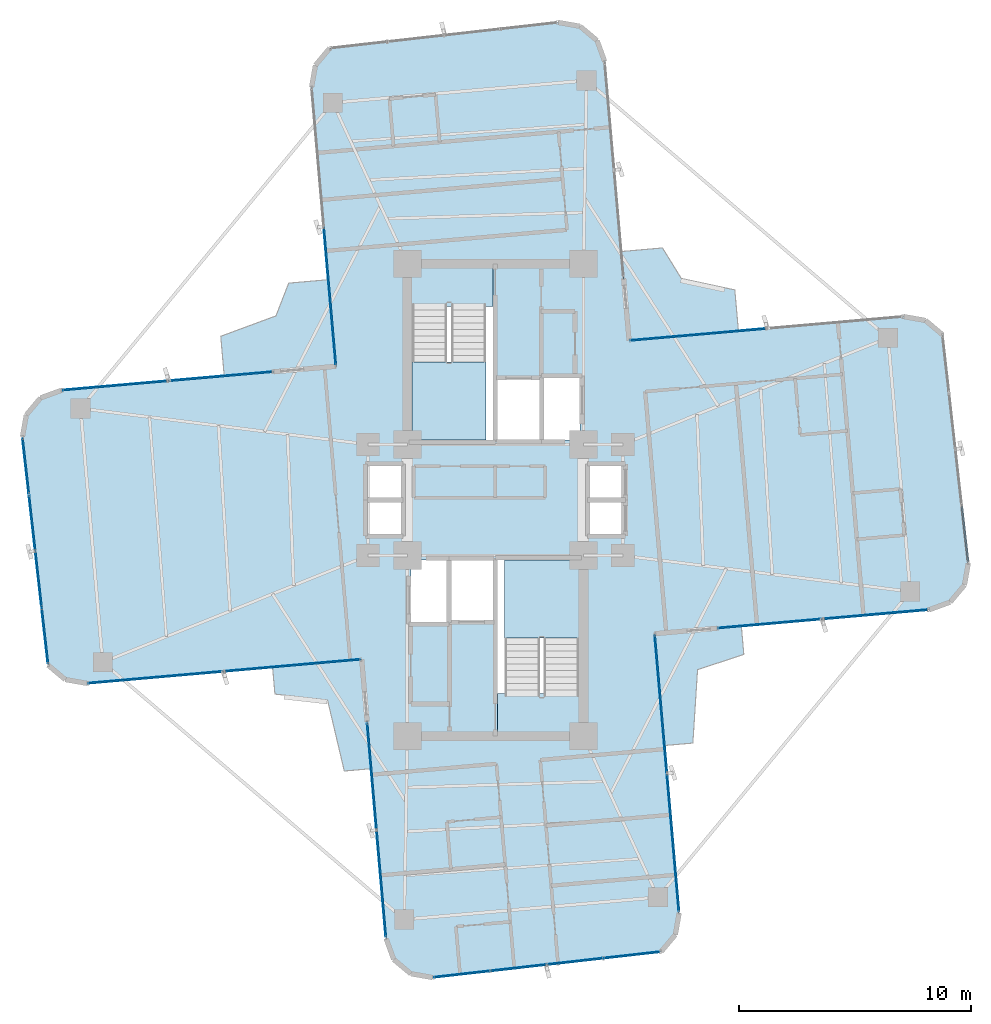
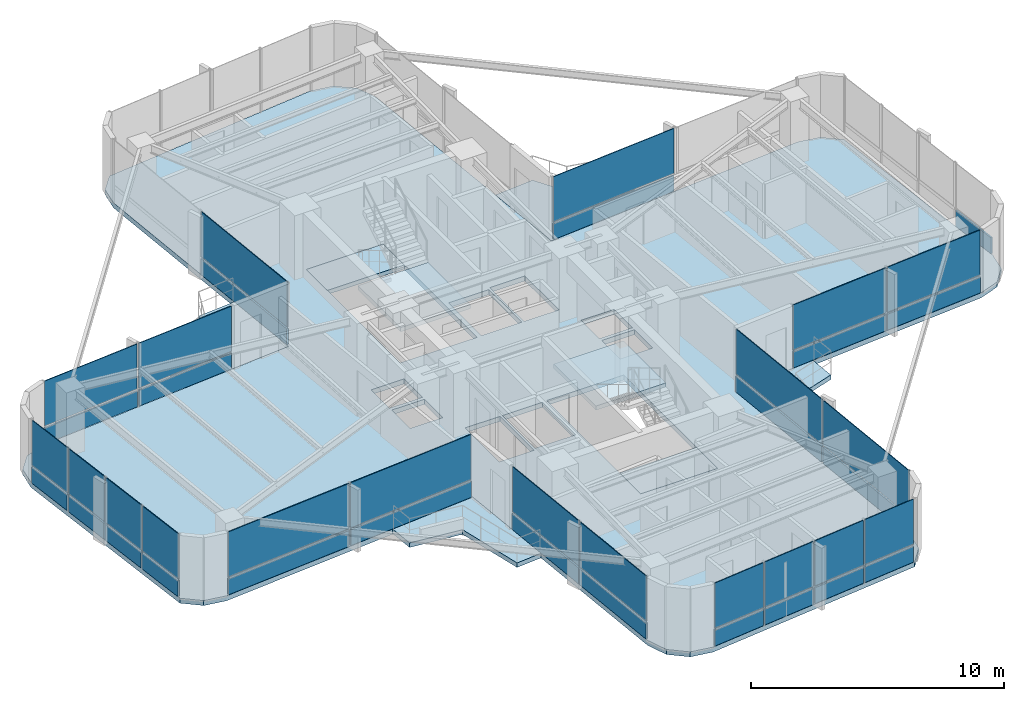
# One storey, part 19 of 24: 41 plates, 9 slabs, 12 elements without a shape of their own.
"""IFC4 building model written with IfcOpenShell, lengths in metres."""

from ifc_helpers import new_model, si_unit, direction, frame, origin, origin_2d, place, context, subcontext, project, spatial, polyline, rectangle, outline, extrude, source, transform, mapped, material, layer, layer_set, type_object, element, aggregate, save


model = new_model("IFC4")

# Units and contexts
model_context = context("Model", 3, precision=1e-05, world=origin(), true_north=direction((0.0, 1.0)))
body_context = subcontext(model_context, "Body", "Model", "MODEL_VIEW")
ifc_project = project(units=[si_unit("LENGTHUNIT", "METRE"), si_unit("AREAUNIT", "SQUARE_METRE"), si_unit("VOLUMEUNIT", "CUBIC_METRE"), si_unit("PLANEANGLEUNIT", "RADIAN"), si_unit("MASSUNIT", "GRAM", prefix="KILO")], contexts=[model_context])

# Site, building, storey
site_placement = place(None, origin())
site = spatial("IfcSite", under=ifc_project, at=site_placement, CompositionType="ELEMENT")
building_placement = place(site_placement, origin())
building = spatial("IfcBuilding", under=site, at=building_placement, Name="Sahyath Konkavel Grand Hotel", CompositionType="ELEMENT")
storey_placement = place(building_placement, frame((0.0, 0.0, 175.199951171875)))
storey = spatial("IfcBuildingStorey", under=building, at=storey_placement, Name="L48", CompositionType="ELEMENT", Elevation=175.199951171875)

# Slabs
ifc_material_1 = material(Name="Concrete C40/50", Category="concrete")
ifc_layer_1 = layer(ifc_material_1, 0.239990234375)
ifc_layer_set_1 = layer_set([ifc_layer_1], Name="Concrete C40/50")
slab_type_1 = type_object("IfcSlabType", Name="SLB-240", PredefinedType="FLOOR", material=ifc_layer_set_1)
slab_1_placement = place(storey_placement, frame((0.0, 0.0, -0.239990234375)))
element("IfcSlab", 1, at=slab_1_placement, inside=storey, type_object=slab_type_1, Name="L48 Structural Floor Slab", PredefinedType="FLOOR", context=body_context, shape_type="SweptSolid", body=[
    extrude(outline(polyline([(6.87939453125, -5.7724609375), (18.73388671875, -4.735107421875), (19.6337890625, -4.40771484375), (20.24951171875, -3.674072265625), (20.415771484375, -2.73095703125), (19.3037109375, 7.134521484375), (18.5703125, 7.75), (17.627197265625, 7.91650390625), (5.7724609375, 6.87939453125), (4.7177734375, 18.93310546875), (4.390380859375, 19.8330078125), (3.65673828125, 20.44873046875), (2.713623046875, 20.614990234375), (-7.152099609375, 19.5029296875), (-7.767578125, 18.769287109375), (-7.933837890625, 17.826416015625), (-6.87939453125, 5.7724609375), (-18.73388671875, 4.735107421875), (-19.6337890625, 4.40771484375), (-20.24951171875, 3.674072265625), (-20.415771484375, 2.73095703125), (-19.3037109375, -7.134521484375), (-18.5703125, -7.75), (-17.627197265625, -7.91650390625), (-5.7724609375, -6.87939453125), (-4.7177734375, -18.93310546875), (-4.390380859375, -19.8330078125), (-3.65673828125, -20.44873046875), (-2.713623046875, -20.614990234375), (7.152099609375, -19.5029296875), (7.767578125, -18.769287109375), (7.933837890625, -17.826416015625), (6.87939453125, -5.7724609375)]), holes=[polyline([(-3.6201171875, 2.580078125), (-0.10009765625, 2.580078125), (-0.10009765625, 10.02001953125), (-3.6201171875, 10.02001953125), (-3.6201171875, 2.580078125)]), polyline([(0.10009765625, -10.02001953125), (3.6201171875, -10.02001953125), (3.6201171875, -2.580078125), (0.10009765625, -2.580078125), (0.10009765625, -10.02001953125)]), polyline([(0.10009765625, 2.60009765625), (1.949951171875, 2.60009765625), (1.949951171875, 5.199951171875), (0.10009765625, 5.199951171875), (0.10009765625, 2.60009765625)]), polyline([(-1.949951171875, -5.199951171875), (-0.10009765625, -5.199951171875), (-0.10009765625, -2.60009765625), (-1.949951171875, -2.60009765625), (-1.949951171875, -5.199951171875)]), polyline([(2.050048828125, 2.60009765625), (3.64990234375, 2.60009765625), (3.64990234375, 5.300048828125), (2.050048828125, 5.300048828125), (2.050048828125, 2.60009765625)]), polyline([(-3.64990234375, -5.300048828125), (-2.050048828125, -5.300048828125), (-2.050048828125, -2.60009765625), (-3.64990234375, -2.60009765625), (-3.64990234375, -5.300048828125)]), polyline([(4.050048828125, 0.080078125), (5.550048828125, 0.080078125), (5.550048828125, 1.5400390625), (4.050048828125, 1.5400390625), (4.050048828125, 0.080078125)]), polyline([(4.050048828125, -1.5400390625), (5.550048828125, -1.5400390625), (5.550048828125, -0.080078125), (4.050048828125, -0.080078125), (4.050048828125, -1.5400390625)]), polyline([(-5.550048828125, 0.080078125), (-4.050048828125, 0.080078125), (-4.050048828125, 1.5400390625), (-5.550048828125, 1.5400390625), (-5.550048828125, 0.080078125)]), polyline([(-5.550048828125, -1.5400390625), (-4.050048828125, -1.5400390625), (-4.050048828125, -0.080078125), (-5.550048828125, -0.080078125), (-5.550048828125, -1.5400390625)])]), origin(), (0.0, 0.0, 1.0), 0.239990234375),
])
ifc_layer_2 = layer(ifc_material_1, 0.219970703125)
ifc_layer_set_2 = layer_set([ifc_layer_2], Name="Concrete C40/50")
slab_type_2 = type_object("IfcSlabType", Name="SLB-BALCONY-220", PredefinedType="FLOOR", material=ifc_layer_set_2)
slab_2_placement = place(storey_placement, frame((0.0, 0.0, -0.219970703125)))
element("IfcSlab", 2, at=slab_2_placement, inside=storey, type_object=slab_type_2, Name="L48 Winter-Garden Balcony NE", PredefinedType="FLOOR", context=body_context, shape_type="SweptSolid", body=[
    extrude(outline(polyline([(5.7724609375, 6.87939453125), (10.492431640625, 7.292236328125), (10.3369140625, 9.0703125), (8.02587890625, 9.56494140625), (7.2138671875, 10.882080078125), (5.435791015625, 10.7265625), (5.7724609375, 6.87939453125)])), origin(), (0.0, 0.0, 1.0), 0.219970703125),
])
slab_3_placement = place(storey_placement, frame((0.0, 0.0, -0.219970703125)))
element("IfcSlab", 3, at=slab_3_placement, inside=storey, type_object=slab_type_2, Name="L48 Winter-Garden Balcony NW", PredefinedType="FLOOR", context=body_context, shape_type="SweptSolid", body=[
    extrude(outline(polyline([(-6.87939453125, 5.7724609375), (-7.20654296875, 9.51220703125), (-8.923583984375, 9.36181640625), (-9.472900390625, 7.948486328125), (-11.857177734375, 7.067138671875), (-11.706787109375, 5.35009765625), (-6.87939453125, 5.7724609375)])), origin(), (0.0, 0.0, 1.0), 0.219970703125),
])
slab_4_placement = place(storey_placement, frame((0.0, 0.0, -0.219970703125)))
element("IfcSlab", 4, at=slab_4_placement, inside=storey, type_object=slab_type_2, Name="L48 Winter-Garden Balcony SW", PredefinedType="FLOOR", context=body_context, shape_type="SweptSolid", body=[
    extrude(outline(polyline([(-5.7724609375, -6.87939453125), (-9.61962890625, -7.2158203125), (-9.51806640625, -8.37841796875), (-7.245849609375, -8.635498046875), (-6.522216796875, -11.700927734375), (-5.359619140625, -11.59912109375), (-5.7724609375, -6.87939453125)])), origin(), (0.0, 0.0, 1.0), 0.219970703125),
])
slab_5_placement = place(storey_placement, frame((0.0, 0.0, -0.219970703125)))
element("IfcSlab", 5, at=slab_5_placement, inside=storey, type_object=slab_type_2, Name="L48 Winter-Garden Balcony SE", PredefinedType="FLOOR", context=body_context, shape_type="SweptSolid", body=[
    extrude(outline(polyline([(6.87939453125, -5.7724609375), (7.301513671875, -10.60009765625), (8.525390625, -10.492919921875), (8.7275390625, -7.3232421875), (10.72607421875, -6.6689453125), (10.618896484375, -5.4453125), (6.87939453125, -5.7724609375)])), origin(), (0.0, 0.0, 1.0), 0.219970703125),
])

# Stair, slab
stair_type = type_object("IfcStairType", Name="STR-ST16-335", PredefinedType="HALF_TURN_STAIR", material=ifc_material_1)
stair_1_placement = place(storey_placement, origin())
stair_1 = element("IfcStair", 6, at=stair_1_placement, inside=storey, type_object=stair_type, Name="L48 North Core Smokeproof Exit Stair ST-1", PredefinedType="HALF_TURN_STAIR")
ifc_layer_3 = layer(ifc_material_1, 0.199951171875)
ifc_layer_set_3 = layer_set([ifc_layer_3], Name="Concrete C40/50")
slab_type_3 = type_object("IfcSlabType", Name="SLB-STAIR-LND", PredefinedType="LANDING", material=ifc_layer_set_3)
slab_6_placement = place(storey_placement, frame((0.0, 0.0, 1.47509765625)))
slab_6 = element("IfcSlab", 7, at=slab_6_placement, type_object=slab_type_3, Name="ST-1 landing 1", PredefinedType="LANDING", context=body_context, shape_type="SweptSolid", body=[
    extrude(outline(polyline([(-3.60009765625, 5.9599609375), (-3.60009765625, 2.60009765625), (-0.39990234375, 2.60009765625), (-0.39990234375, 5.9599609375), (-3.60009765625, 5.9599609375)])), origin(), (0.0, 0.0, 1.0), 0.199951171875),
])
aggregate(stair_1, [slab_6])

stair_2_placement = place(storey_placement, origin())
stair_2 = element("IfcStair", 8, at=stair_2_placement, inside=storey, type_object=stair_type, Name="L48 South Core Smokeproof Exit Stair ST-2", PredefinedType="HALF_TURN_STAIR")
slab_7_placement = place(storey_placement, frame((0.0, 0.0, 1.47509765625)))
slab_7 = element("IfcSlab", 9, at=slab_7_placement, type_object=slab_type_3, Name="ST-2 landing 1", PredefinedType="LANDING", context=body_context, shape_type="SweptSolid", body=[
    extrude(outline(polyline([(3.60009765625, -5.9599609375), (3.60009765625, -2.60009765625), (0.39990234375, -2.60009765625), (0.39990234375, -5.9599609375), (3.60009765625, -5.9599609375)])), origin(), (0.0, 0.0, 1.0), 0.199951171875),
])
aggregate(stair_2, [slab_7])

# Slabs
slab_8_placement = place(storey_placement, frame((0.0, 0.0, -0.199951171875)))
element("IfcSlab", 10, at=slab_8_placement, inside=storey, type_object=slab_type_3, Name="L48 Stair ST-1 Floor Landing Slab", PredefinedType="LANDING", context=body_context, shape_type="SweptSolid", body=[
    extrude(outline(polyline([(-3.6201171875, 8.35009765625), (-0.10009765625, 8.35009765625), (-0.10009765625, 10.02001953125), (-3.6201171875, 10.02001953125), (-3.6201171875, 8.35009765625)])), origin(), (0.0, 0.0, 1.0), 0.199951171875),
])
slab_9_placement = place(storey_placement, frame((0.0, 0.0, -0.199951171875)))
element("IfcSlab", 11, at=slab_9_placement, inside=storey, type_object=slab_type_3, Name="L48 Stair ST-2 Floor Landing Slab", PredefinedType="LANDING", context=body_context, shape_type="SweptSolid", body=[
    extrude(outline(polyline([(0.10009765625, -10.02001953125), (3.6201171875, -10.02001953125), (3.6201171875, -8.35009765625), (0.10009765625, -8.35009765625), (0.10009765625, -10.02001953125)])), origin(), (0.0, 0.0, 1.0), 0.199951171875),
])

# Curtain wall, plates
ifc_material_2 = material(Name="Anodised Bronze Aluminium & Low-E Glazing", Category="aluminium")
curtain_wall_type = type_object("IfcCurtainWallType", Name="CW-ZONE3", PredefinedType="NOTDEFINED", material=ifc_material_2)
curtain_wall_1_placement = place(storey_placement, origin())
curtain_wall_1 = element("IfcCurtainWall", 12, at=curtain_wall_1_placement, inside=storey, type_object=curtain_wall_type, Name="L48 Unitised Curtain Wall F0", PredefinedType="NOTDEFINED")
ifc_material_3 = material(Name="Warm Buff Sandstone Cladding", Category="masonry")
ifc_layer_4 = layer(ifc_material_3, 0.074951171875)
ifc_layer_set_4 = layer_set([ifc_layer_4], Name="Warm Buff Sandstone Cladding")
plate_type_1 = type_object("IfcPlateType", Name="PNL-SPANDREL-STONE", PredefinedType="SHEET", material=ifc_layer_set_4)
shared_shape_1 = source(origin(), body_context, "Body", "SweptSolid", [
    extrude(rectangle(XDim=4.47998046875, YDim=0.074951171875, at=origin_2d()), origin(), (0.0, 0.0, 1.0), 0.77001953125),
])
plate_1_placement = place(storey_placement, frame((11.880126953125, -5.334716796875, 0.0400390625), z_axis=(0.0, 0.0, 1.0), x_axis=(0.996194698092, 0.087155742748, 0.0)))
plate_1 = element("IfcPlate", 13, at=plate_1_placement, type_object=plate_type_1, Name="L48 Sandstone Relief Spandrel Panel F0-0", PredefinedType="SHEET", context=body_context, shape_type="MappedRepresentation", body=[
    mapped(shared_shape_1, transform((0.0, 0.0, 0.0), scale=1.0)),
])
plate_2_placement = place(storey_placement, frame((16.4228515625, -4.9375, 0.0400390625), z_axis=(0.0, 0.0, 1.0), x_axis=(0.996194698092, 0.087155742748, 0.0)))
plate_2 = element("IfcPlate", 14, at=plate_2_placement, type_object=plate_type_1, Name="L48 Sandstone Relief Spandrel Panel F0-1", PredefinedType="SHEET", context=body_context, shape_type="MappedRepresentation", body=[
    mapped(shared_shape_1, transform((0.0, 0.0, 0.0), scale=1.0)),
])

curtain_wall_2_placement = place(storey_placement, origin())
curtain_wall_2 = element("IfcCurtainWall", 15, at=curtain_wall_2_placement, inside=storey, type_object=curtain_wall_type, Name="L48 Unitised Curtain Wall F16", PredefinedType="NOTDEFINED")
plate_3_placement = place(storey_placement, frame((-11.880126953125, 5.334716796875, 0.0400390625), z_axis=(0.0, 0.0, 1.0), x_axis=(-0.996194698092, -0.087155742748, 0.0)))
plate_3 = element("IfcPlate", 16, at=plate_3_placement, type_object=plate_type_1, Name="L48 Sandstone Relief Spandrel Panel F16-0", PredefinedType="SHEET", context=body_context, shape_type="MappedRepresentation", body=[
    mapped(shared_shape_1, transform((0.0, 0.0, 0.0), scale=1.0)),
])
plate_4_placement = place(storey_placement, frame((-16.4228515625, 4.9375, 0.0400390625), z_axis=(0.0, 0.0, 1.0), x_axis=(-0.996194698092, -0.087155742748, 0.0)))
plate_4 = element("IfcPlate", 17, at=plate_4_placement, type_object=plate_type_1, Name="L48 Sandstone Relief Spandrel Panel F16-1", PredefinedType="SHEET", context=body_context, shape_type="MappedRepresentation", body=[
    mapped(shared_shape_1, transform((0.0, 0.0, 0.0), scale=1.0)),
])

# Curtain wall, plate
curtain_wall_3_placement = place(storey_placement, origin())
curtain_wall_3 = element("IfcCurtainWall", 18, at=curtain_wall_3_placement, inside=storey, type_object=curtain_wall_type, Name="L48 Unitised Curtain Wall F4", PredefinedType="NOTDEFINED")
shared_shape_2 = source(origin(), body_context, "Body", "SweptSolid", [
    extrude(rectangle(XDim=2.382080078125, YDim=0.074951171875, at=origin_2d()), origin(), (0.0, 0.0, 1.0), 0.77001953125),
])
plate_5_placement = place(storey_placement, frame((20.2734375, -1.468017578125, 0.0400390625), z_axis=(0.0, 0.0, 1.0), x_axis=(-0.111989252568, 0.993709417943, 0.0)))
plate_5 = element("IfcPlate", 19, at=plate_5_placement, type_object=plate_type_1, Name="L48 Sandstone Relief Spandrel Panel F4-0", PredefinedType="SHEET", context=body_context, shape_type="MappedRepresentation", body=[
    mapped(shared_shape_2, transform((0.0, 0.0, 0.0), scale=1.0)),
])
aggregate(curtain_wall_3, [plate_5])

# Curtain wall, plates
curtain_wall_4_placement = place(storey_placement, origin())
curtain_wall_4 = element("IfcCurtainWall", 20, at=curtain_wall_4_placement, inside=storey, type_object=curtain_wall_type, Name="L48 Unitised Curtain Wall F20", PredefinedType="NOTDEFINED")
plate_6_placement = place(storey_placement, frame((-20.2734375, 1.468017578125, 0.0400390625), z_axis=(0.0, 0.0, 1.0), x_axis=(0.111989252568, -0.993709417943, 0.0)))
plate_6 = element("IfcPlate", 21, at=plate_6_placement, type_object=plate_type_1, Name="L48 Sandstone Relief Spandrel Panel F20-0", PredefinedType="SHEET", context=body_context, shape_type="MappedRepresentation", body=[
    mapped(shared_shape_2, transform((0.0, 0.0, 0.0), scale=1.0)),
])
plate_7_placement = place(storey_placement, frame((-19.99755859375, -0.978515625, 0.0400390625), z_axis=(0.0, 0.0, 1.0), x_axis=(0.111989252568, -0.993709417943, 0.0)))
plate_7 = element("IfcPlate", 22, at=plate_7_placement, type_object=plate_type_1, Name="L48 Sandstone Relief Spandrel Panel F20-1", PredefinedType="SHEET", context=body_context, shape_type="MappedRepresentation", body=[
    mapped(shared_shape_2, transform((0.0, 0.0, 0.0), scale=1.0)),
])
plate_8_placement = place(storey_placement, frame((-19.7216796875, -3.425048828125, 0.0400390625), z_axis=(0.0, 0.0, 1.0), x_axis=(0.111989252568, -0.993709417943, 0.0)))
plate_8 = element("IfcPlate", 23, at=plate_8_placement, type_object=plate_type_1, Name="L48 Sandstone Relief Spandrel Panel F20-2", PredefinedType="SHEET", context=body_context, shape_type="MappedRepresentation", body=[
    mapped(shared_shape_2, transform((0.0, 0.0, 0.0), scale=1.0)),
])
plate_9_placement = place(storey_placement, frame((-19.446044921875, -5.87158203125, 0.0400390625), z_axis=(0.0, 0.0, 1.0), x_axis=(0.111989252568, -0.993709417943, 0.0)))
plate_9 = element("IfcPlate", 24, at=plate_9_placement, type_object=plate_type_1, Name="L48 Sandstone Relief Spandrel Panel F20-3", PredefinedType="SHEET", context=body_context, shape_type="MappedRepresentation", body=[
    mapped(shared_shape_2, transform((0.0, 0.0, 0.0), scale=1.0)),
])

curtain_wall_5_placement = place(storey_placement, origin())
curtain_wall_5 = element("IfcCurtainWall", 25, at=curtain_wall_5_placement, inside=storey, type_object=curtain_wall_type, Name="L48 Unitised Curtain Wall F28", PredefinedType="NOTDEFINED")
plate_10_placement = place(storey_placement, frame((-1.45068359375, -20.47265625, 0.0400390625), z_axis=(0.0, 0.0, 1.0), x_axis=(0.993707463211, 0.112006596052, 0.0)))
plate_10 = element("IfcPlate", 26, at=plate_10_placement, type_object=plate_type_1, Name="L48 Sandstone Relief Spandrel Panel F28-0", PredefinedType="SHEET", context=body_context, shape_type="MappedRepresentation", body=[
    mapped(shared_shape_2, transform((0.0, 0.0, 0.0), scale=1.0)),
])
plate_11_placement = place(storey_placement, frame((0.995849609375, -20.197021484375, 0.0400390625), z_axis=(0.0, 0.0, 1.0), x_axis=(0.993707463211, 0.112006596052, 0.0)))
plate_11 = element("IfcPlate", 27, at=plate_11_placement, type_object=plate_type_1, Name="L48 Sandstone Relief Spandrel Panel F28-1", PredefinedType="SHEET", context=body_context, shape_type="MappedRepresentation", body=[
    mapped(shared_shape_2, transform((0.0, 0.0, 0.0), scale=1.0)),
])
plate_12_placement = place(storey_placement, frame((3.4423828125, -19.921142578125, 0.0400390625), z_axis=(0.0, 0.0, 1.0), x_axis=(0.993707463211, 0.112006596052, 0.0)))
plate_12 = element("IfcPlate", 28, at=plate_12_placement, type_object=plate_type_1, Name="L48 Sandstone Relief Spandrel Panel F28-2", PredefinedType="SHEET", context=body_context, shape_type="MappedRepresentation", body=[
    mapped(shared_shape_2, transform((0.0, 0.0, 0.0), scale=1.0)),
])
plate_13_placement = place(storey_placement, frame((5.888916015625, -19.6455078125, 0.0400390625), z_axis=(0.0, 0.0, 1.0), x_axis=(0.993707463211, 0.112006596052, 0.0)))
plate_13 = element("IfcPlate", 29, at=plate_13_placement, type_object=plate_type_1, Name="L48 Sandstone Relief Spandrel Panel F28-3", PredefinedType="SHEET", context=body_context, shape_type="MappedRepresentation", body=[
    mapped(shared_shape_2, transform((0.0, 0.0, 0.0), scale=1.0)),
])

# Curtain wall, plate
curtain_wall_6_placement = place(storey_placement, origin())
curtain_wall_6 = element("IfcCurtainWall", 30, at=curtain_wall_6_placement, inside=storey, type_object=curtain_wall_type, Name="L48 Unitised Curtain Wall F7", PredefinedType="NOTDEFINED")
shared_shape_3 = source(origin(), body_context, "Body", "SweptSolid", [
    extrude(rectangle(XDim=5.830078125, YDim=0.074951171875, at=origin_2d()), origin(), (0.0, 0.0, 1.0), 0.77001953125),
])
plate_14_placement = place(storey_placement, frame((8.756103515625, 7.140380859375, 0.0400390625), z_axis=(0.0, 0.0, 1.0), x_axis=(-0.996194698092, -0.087155742748, 0.0)))
plate_14 = element("IfcPlate", 31, at=plate_14_placement, type_object=plate_type_1, Name="L48 Sandstone Relief Spandrel Panel F7-1", PredefinedType="SHEET", context=body_context, shape_type="MappedRepresentation", body=[
    mapped(shared_shape_3, transform((0.0, 0.0, 0.0), scale=1.0)),
])

# Curtain wall, plates
curtain_wall_7_placement = place(storey_placement, origin())
curtain_wall_7 = element("IfcCurtainWall", 32, at=curtain_wall_7_placement, inside=storey, type_object=curtain_wall_type, Name="L48 Unitised Curtain Wall F23", PredefinedType="NOTDEFINED")
plate_15_placement = place(storey_placement, frame((-14.6435546875, -7.655517578125, 0.0400390625), z_axis=(0.0, 0.0, 1.0), x_axis=(0.996194698092, 0.087155742748, 0.0)))
plate_15 = element("IfcPlate", 33, at=plate_15_placement, type_object=plate_type_1, Name="L48 Sandstone Relief Spandrel Panel F23-0", PredefinedType="SHEET", context=body_context, shape_type="MappedRepresentation", body=[
    mapped(shared_shape_3, transform((0.0, 0.0, 0.0), scale=1.0)),
])
plate_16_placement = place(storey_placement, frame((-8.756103515625, -7.140380859375, 0.0400390625), z_axis=(0.0, 0.0, 1.0), x_axis=(0.996194698092, 0.087155742748, 0.0)))
plate_16 = element("IfcPlate", 34, at=plate_16_placement, type_object=plate_type_1, Name="L48 Sandstone Relief Spandrel Panel F23-1", PredefinedType="SHEET", context=body_context, shape_type="MappedRepresentation", body=[
    mapped(shared_shape_3, transform((0.0, 0.0, 0.0), scale=1.0)),
])

curtain_wall_8_placement = place(storey_placement, origin())
curtain_wall_8 = element("IfcCurtainWall", 35, at=curtain_wall_8_placement, inside=storey, type_object=curtain_wall_type, Name="L48 Unitised Curtain Wall F24", PredefinedType="NOTDEFINED")
shared_shape_4 = source(origin(), body_context, "Body", "SweptSolid", [
    extrude(rectangle(XDim=4.580078125, YDim=0.074951171875, at=origin_2d()), origin(), (0.0, 0.0, 1.0), 0.77001953125),
])
plate_17_placement = place(storey_placement, frame((-5.33056640625, -11.929931640625, 0.0400390625), z_axis=(0.0, 0.0, 1.0), x_axis=(0.087155742748, -0.996194698092, 0.0)))
plate_17 = element("IfcPlate", 36, at=plate_17_placement, type_object=plate_type_1, Name="L48 Sandstone Relief Spandrel Panel F24-0", PredefinedType="SHEET", context=body_context, shape_type="MappedRepresentation", body=[
    mapped(shared_shape_4, transform((0.0, 0.0, 0.0), scale=1.0)),
])
plate_18_placement = place(storey_placement, frame((-4.92431640625, -16.572265625, 0.0400390625), z_axis=(0.0, 0.0, 1.0), x_axis=(0.087155742748, -0.996194698092, 0.0)))
plate_18 = element("IfcPlate", 37, at=plate_18_placement, type_object=plate_type_1, Name="L48 Sandstone Relief Spandrel Panel F24-1", PredefinedType="SHEET", context=body_context, shape_type="MappedRepresentation", body=[
    mapped(shared_shape_4, transform((0.0, 0.0, 0.0), scale=1.0)),
])

# Curtain wall, plate
curtain_wall_9_placement = place(storey_placement, origin())
curtain_wall_9 = element("IfcCurtainWall", 38, at=curtain_wall_9_placement, inside=storey, type_object=curtain_wall_type, Name="L48 Unitised Curtain Wall F15", PredefinedType="NOTDEFINED")
shared_shape_5 = source(origin(), body_context, "Body", "SweptSolid", [
    extrude(rectangle(XDim=5.929931640625, YDim=0.074951171875, at=origin_2d()), origin(), (0.0, 0.0, 1.0), 0.77001953125),
])
plate_19_placement = place(storey_placement, frame((-7.144775390625, 8.805908203125, 0.0400390625), z_axis=(0.0, 0.0, 1.0), x_axis=(0.087155742748, -0.996194698092, 0.0)))
plate_19 = element("IfcPlate", 39, at=plate_19_placement, type_object=plate_type_1, Name="L48 Sandstone Relief Spandrel Panel F15-1", PredefinedType="SHEET", context=body_context, shape_type="MappedRepresentation", body=[
    mapped(shared_shape_5, transform((0.0, 0.0, 0.0), scale=1.0)),
])

# Curtain wall, plates
curtain_wall_10_placement = place(storey_placement, origin())
curtain_wall_10 = element("IfcCurtainWall", 40, at=curtain_wall_10_placement, inside=storey, type_object=curtain_wall_type, Name="L48 Unitised Curtain Wall F31", PredefinedType="NOTDEFINED")
plate_20_placement = place(storey_placement, frame((7.66845703125, -14.79296875, 0.0400390625), z_axis=(0.0, 0.0, 1.0), x_axis=(-0.087155742748, 0.996194698092, 0.0)))
plate_20 = element("IfcPlate", 41, at=plate_20_placement, type_object=plate_type_1, Name="L48 Sandstone Relief Spandrel Panel F31-0", PredefinedType="SHEET", context=body_context, shape_type="MappedRepresentation", body=[
    mapped(shared_shape_5, transform((0.0, 0.0, 0.0), scale=1.0)),
])
plate_21_placement = place(storey_placement, frame((7.144775390625, -8.805908203125, 0.0400390625), z_axis=(0.0, 0.0, 1.0), x_axis=(-0.087155742748, 0.996194698092, 0.0)))
plate_21 = element("IfcPlate", 42, at=plate_21_placement, type_object=plate_type_1, Name="L48 Sandstone Relief Spandrel Panel F31-1", PredefinedType="SHEET", context=body_context, shape_type="MappedRepresentation", body=[
    mapped(shared_shape_5, transform((0.0, 0.0, 0.0), scale=1.0)),
])

# Plate
ifc_material_4 = material(Name="Low-E Solar Control Double Glazing", Category="glass")
ifc_layer_5 = layer(ifc_material_4, 0.035888671875)
ifc_layer_set_5 = layer_set([ifc_layer_5], Name="Low-E Solar Control Double Glazing")
plate_type_2 = type_object("IfcPlateType", Name="PNL-VISION-LOWE", PredefinedType="CURTAIN_PANEL", material=ifc_layer_set_5)
shared_shape_6 = source(origin(), body_context, "Body", "SweptSolid", [
    extrude(rectangle(XDim=4.47998046875, YDim=0.035888671875, at=origin_2d()), origin(), (0.0, 0.0, 1.0), 2.179931640625),
])
plate_22_placement = place(storey_placement, frame((11.880126953125, -5.334716796875, 0.89013671875), z_axis=(0.0, 0.0, 1.0), x_axis=(0.996194698092, 0.087155742748, 0.0)))
plate_22 = element("IfcPlate", 43, at=plate_22_placement, type_object=plate_type_2, Name="L48 Low-E Vision Glazing Panel F0-0", PredefinedType="CURTAIN_PANEL", context=body_context, shape_type="MappedRepresentation", body=[
    mapped(shared_shape_6, transform((0.0, 0.0, 0.0), scale=1.0)),
])

plate_23_placement = place(storey_placement, frame((16.4228515625, -4.9375, 0.89013671875), z_axis=(0.0, 0.0, 1.0), x_axis=(0.996194698092, 0.087155742748, 0.0)))
plate_23 = element("IfcPlate", 44, at=plate_23_placement, type_object=plate_type_2, Name="L48 Low-E Vision Glazing Panel F0-1", PredefinedType="CURTAIN_PANEL", context=body_context, shape_type="MappedRepresentation", body=[
    mapped(shared_shape_6, transform((0.0, 0.0, 0.0), scale=1.0)),
])

aggregate(curtain_wall_1, [plate_1, plate_22, plate_2, plate_23])

plate_24_placement = place(storey_placement, frame((-11.880126953125, 5.334716796875, 0.89013671875), z_axis=(0.0, 0.0, 1.0), x_axis=(-0.996194698092, -0.087155742748, 0.0)))
plate_24 = element("IfcPlate", 45, at=plate_24_placement, type_object=plate_type_2, Name="L48 Low-E Vision Glazing Panel F16-0", PredefinedType="CURTAIN_PANEL", context=body_context, shape_type="MappedRepresentation", body=[
    mapped(shared_shape_6, transform((0.0, 0.0, 0.0), scale=1.0)),
])

plate_25_placement = place(storey_placement, frame((-16.4228515625, 4.9375, 0.89013671875), z_axis=(0.0, 0.0, 1.0), x_axis=(-0.996194698092, -0.087155742748, 0.0)))
plate_25 = element("IfcPlate", 46, at=plate_25_placement, type_object=plate_type_2, Name="L48 Low-E Vision Glazing Panel F16-1", PredefinedType="CURTAIN_PANEL", context=body_context, shape_type="MappedRepresentation", body=[
    mapped(shared_shape_6, transform((0.0, 0.0, 0.0), scale=1.0)),
])

aggregate(curtain_wall_2, [plate_3, plate_24, plate_4, plate_25])

shared_shape_7 = source(origin(), body_context, "Body", "SweptSolid", [
    extrude(rectangle(XDim=2.382080078125, YDim=0.035888671875, at=origin_2d()), origin(), (0.0, 0.0, 1.0), 2.179931640625),
])
plate_26_placement = place(storey_placement, frame((-20.2734375, 1.468017578125, 0.89013671875), z_axis=(0.0, 0.0, 1.0), x_axis=(0.111989252568, -0.993709417943, 0.0)))
plate_26 = element("IfcPlate", 47, at=plate_26_placement, type_object=plate_type_2, Name="L48 Low-E Vision Glazing Panel F20-0", PredefinedType="CURTAIN_PANEL", context=body_context, shape_type="MappedRepresentation", body=[
    mapped(shared_shape_7, transform((0.0, 0.0, 0.0), scale=1.0)),
])

plate_27_placement = place(storey_placement, frame((-19.99755859375, -0.978515625, 0.89013671875), z_axis=(0.0, 0.0, 1.0), x_axis=(0.111989252568, -0.993709417943, 0.0)))
plate_27 = element("IfcPlate", 48, at=plate_27_placement, type_object=plate_type_2, Name="L48 Low-E Vision Glazing Panel F20-1", PredefinedType="CURTAIN_PANEL", context=body_context, shape_type="MappedRepresentation", body=[
    mapped(shared_shape_7, transform((0.0, 0.0, 0.0), scale=1.0)),
])

plate_28_placement = place(storey_placement, frame((-19.7216796875, -3.425048828125, 0.89013671875), z_axis=(0.0, 0.0, 1.0), x_axis=(0.111989252568, -0.993709417943, 0.0)))
plate_28 = element("IfcPlate", 49, at=plate_28_placement, type_object=plate_type_2, Name="L48 Low-E Vision Glazing Panel F20-2", PredefinedType="CURTAIN_PANEL", context=body_context, shape_type="MappedRepresentation", body=[
    mapped(shared_shape_7, transform((0.0, 0.0, 0.0), scale=1.0)),
])

plate_29_placement = place(storey_placement, frame((-19.446044921875, -5.87158203125, 0.89013671875), z_axis=(0.0, 0.0, 1.0), x_axis=(0.111989252568, -0.993709417943, 0.0)))
plate_29 = element("IfcPlate", 50, at=plate_29_placement, type_object=plate_type_2, Name="L48 Low-E Vision Glazing Panel F20-3", PredefinedType="CURTAIN_PANEL", context=body_context, shape_type="MappedRepresentation", body=[
    mapped(shared_shape_7, transform((0.0, 0.0, 0.0), scale=1.0)),
])

aggregate(curtain_wall_4, [plate_6, plate_26, plate_7, plate_27, plate_8, plate_28, plate_9, plate_29])

plate_30_placement = place(storey_placement, frame((-1.45068359375, -20.47265625, 0.89013671875), z_axis=(0.0, 0.0, 1.0), x_axis=(0.993707463211, 0.112006596052, 0.0)))
plate_30 = element("IfcPlate", 51, at=plate_30_placement, type_object=plate_type_2, Name="L48 Low-E Vision Glazing Panel F28-0", PredefinedType="CURTAIN_PANEL", context=body_context, shape_type="MappedRepresentation", body=[
    mapped(shared_shape_7, transform((0.0, 0.0, 0.0), scale=1.0)),
])

plate_31_placement = place(storey_placement, frame((0.995849609375, -20.197021484375, 0.89013671875), z_axis=(0.0, 0.0, 1.0), x_axis=(0.993707463211, 0.112006596052, 0.0)))
plate_31 = element("IfcPlate", 52, at=plate_31_placement, type_object=plate_type_2, Name="L48 Low-E Vision Glazing Panel F28-1", PredefinedType="CURTAIN_PANEL", context=body_context, shape_type="MappedRepresentation", body=[
    mapped(shared_shape_7, transform((0.0, 0.0, 0.0), scale=1.0)),
])

plate_32_placement = place(storey_placement, frame((3.4423828125, -19.921142578125, 0.89013671875), z_axis=(0.0, 0.0, 1.0), x_axis=(0.993707463211, 0.112006596052, 0.0)))
plate_32 = element("IfcPlate", 53, at=plate_32_placement, type_object=plate_type_2, Name="L48 Low-E Vision Glazing Panel F28-2", PredefinedType="CURTAIN_PANEL", context=body_context, shape_type="MappedRepresentation", body=[
    mapped(shared_shape_7, transform((0.0, 0.0, 0.0), scale=1.0)),
])

plate_33_placement = place(storey_placement, frame((5.888916015625, -19.6455078125, 0.89013671875), z_axis=(0.0, 0.0, 1.0), x_axis=(0.993707463211, 0.112006596052, 0.0)))
plate_33 = element("IfcPlate", 54, at=plate_33_placement, type_object=plate_type_2, Name="L48 Low-E Vision Glazing Panel F28-3", PredefinedType="CURTAIN_PANEL", context=body_context, shape_type="MappedRepresentation", body=[
    mapped(shared_shape_7, transform((0.0, 0.0, 0.0), scale=1.0)),
])

aggregate(curtain_wall_5, [plate_10, plate_30, plate_11, plate_31, plate_12, plate_32, plate_13, plate_33])

shared_shape_8 = source(origin(), body_context, "Body", "SweptSolid", [
    extrude(rectangle(XDim=5.830078125, YDim=0.035888671875, at=origin_2d()), origin(), (0.0, 0.0, 1.0), 2.179931640625),
])
plate_34_placement = place(storey_placement, frame((8.756103515625, 7.140380859375, 0.89013671875), z_axis=(0.0, 0.0, 1.0), x_axis=(-0.996194698092, -0.087155742748, 0.0)))
plate_34 = element("IfcPlate", 55, at=plate_34_placement, type_object=plate_type_2, Name="L48 Low-E Vision Glazing Panel F7-1", PredefinedType="CURTAIN_PANEL", context=body_context, shape_type="MappedRepresentation", body=[
    mapped(shared_shape_8, transform((0.0, 0.0, 0.0), scale=1.0)),
])

aggregate(curtain_wall_6, [plate_14, plate_34])

plate_35_placement = place(storey_placement, frame((-14.6435546875, -7.655517578125, 0.89013671875), z_axis=(0.0, 0.0, 1.0), x_axis=(0.996194698092, 0.087155742748, 0.0)))
plate_35 = element("IfcPlate", 56, at=plate_35_placement, type_object=plate_type_2, Name="L48 Low-E Vision Glazing Panel F23-0", PredefinedType="CURTAIN_PANEL", context=body_context, shape_type="MappedRepresentation", body=[
    mapped(shared_shape_8, transform((0.0, 0.0, 0.0), scale=1.0)),
])

plate_36_placement = place(storey_placement, frame((-8.756103515625, -7.140380859375, 0.89013671875), z_axis=(0.0, 0.0, 1.0), x_axis=(0.996194698092, 0.087155742748, 0.0)))
plate_36 = element("IfcPlate", 57, at=plate_36_placement, type_object=plate_type_2, Name="L48 Low-E Vision Glazing Panel F23-1", PredefinedType="CURTAIN_PANEL", context=body_context, shape_type="MappedRepresentation", body=[
    mapped(shared_shape_8, transform((0.0, 0.0, 0.0), scale=1.0)),
])

aggregate(curtain_wall_7, [plate_15, plate_35, plate_16, plate_36])

shared_shape_9 = source(origin(), body_context, "Body", "SweptSolid", [
    extrude(rectangle(XDim=4.580078125, YDim=0.035888671875, at=origin_2d()), origin(), (0.0, 0.0, 1.0), 2.179931640625),
])
plate_37_placement = place(storey_placement, frame((-5.33056640625, -11.929931640625, 0.89013671875), z_axis=(0.0, 0.0, 1.0), x_axis=(0.087155742748, -0.996194698092, 0.0)))
plate_37 = element("IfcPlate", 58, at=plate_37_placement, type_object=plate_type_2, Name="L48 Low-E Vision Glazing Panel F24-0", PredefinedType="CURTAIN_PANEL", context=body_context, shape_type="MappedRepresentation", body=[
    mapped(shared_shape_9, transform((0.0, 0.0, 0.0), scale=1.0)),
])

plate_38_placement = place(storey_placement, frame((-4.92431640625, -16.572265625, 0.89013671875), z_axis=(0.0, 0.0, 1.0), x_axis=(0.087155742748, -0.996194698092, 0.0)))
plate_38 = element("IfcPlate", 59, at=plate_38_placement, type_object=plate_type_2, Name="L48 Low-E Vision Glazing Panel F24-1", PredefinedType="CURTAIN_PANEL", context=body_context, shape_type="MappedRepresentation", body=[
    mapped(shared_shape_9, transform((0.0, 0.0, 0.0), scale=1.0)),
])

aggregate(curtain_wall_8, [plate_17, plate_37, plate_18, plate_38])

shared_shape_10 = source(origin(), body_context, "Body", "SweptSolid", [
    extrude(rectangle(XDim=5.929931640625, YDim=0.035888671875, at=origin_2d()), origin(), (0.0, 0.0, 1.0), 2.179931640625),
])
plate_39_placement = place(storey_placement, frame((-7.144775390625, 8.805908203125, 0.89013671875), z_axis=(0.0, 0.0, 1.0), x_axis=(0.087155742748, -0.996194698092, 0.0)))
plate_39 = element("IfcPlate", 60, at=plate_39_placement, type_object=plate_type_2, Name="L48 Low-E Vision Glazing Panel F15-1", PredefinedType="CURTAIN_PANEL", context=body_context, shape_type="MappedRepresentation", body=[
    mapped(shared_shape_10, transform((0.0, 0.0, 0.0), scale=1.0)),
])

aggregate(curtain_wall_9, [plate_19, plate_39])

plate_40_placement = place(storey_placement, frame((7.66845703125, -14.79296875, 0.89013671875), z_axis=(0.0, 0.0, 1.0), x_axis=(-0.087155742748, 0.996194698092, 0.0)))
plate_40 = element("IfcPlate", 61, at=plate_40_placement, type_object=plate_type_2, Name="L48 Low-E Vision Glazing Panel F31-0", PredefinedType="CURTAIN_PANEL", context=body_context, shape_type="MappedRepresentation", body=[
    mapped(shared_shape_10, transform((0.0, 0.0, 0.0), scale=1.0)),
])

plate_41_placement = place(storey_placement, frame((7.144775390625, -8.805908203125, 0.89013671875), z_axis=(0.0, 0.0, 1.0), x_axis=(-0.087155742748, 0.996194698092, 0.0)))
plate_41 = element("IfcPlate", 62, at=plate_41_placement, type_object=plate_type_2, Name="L48 Low-E Vision Glazing Panel F31-1", PredefinedType="CURTAIN_PANEL", context=body_context, shape_type="MappedRepresentation", body=[
    mapped(shared_shape_10, transform((0.0, 0.0, 0.0), scale=1.0)),
])

aggregate(curtain_wall_10, [plate_20, plate_40, plate_21, plate_41])

save(model, "model.ifc")
